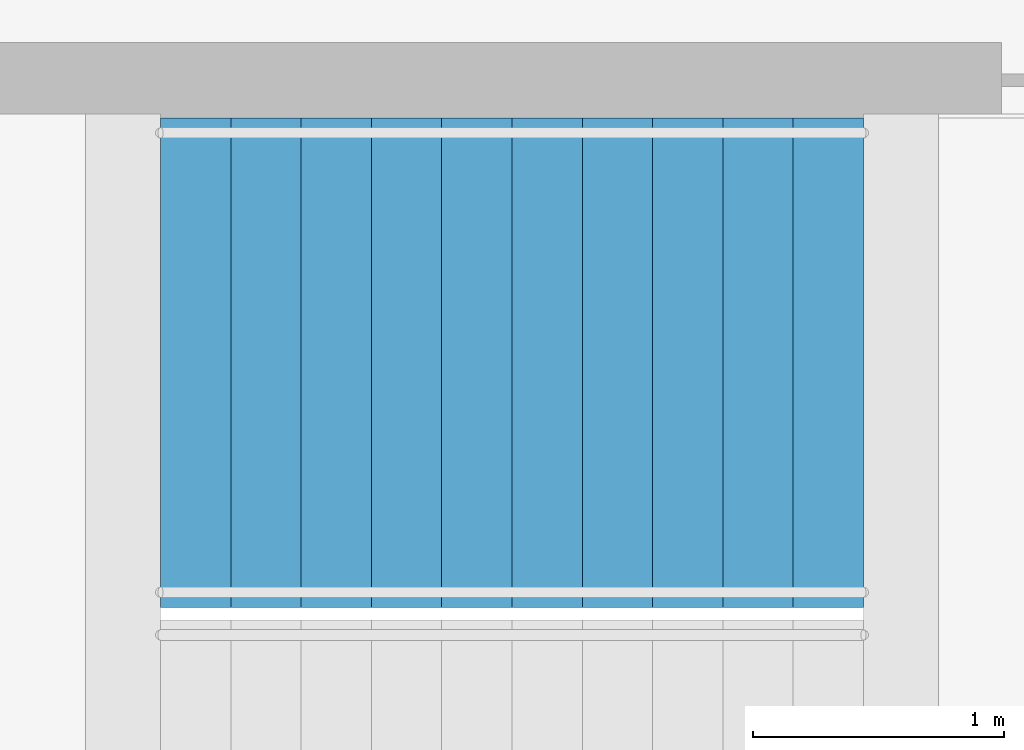
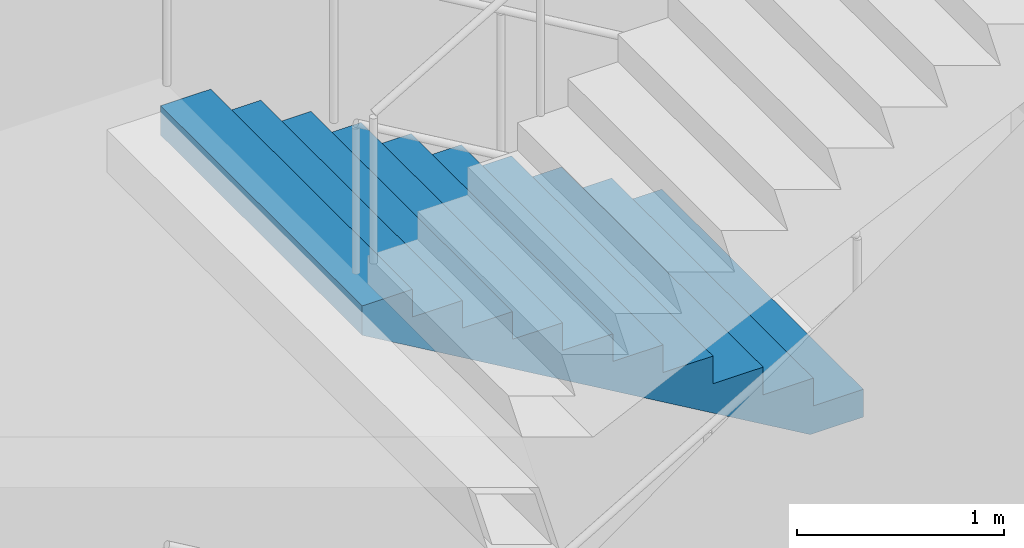
# One storey, part 23 of 24: 1 stair flight, 1 element without a shape of its own.
"""IFC4 building model written with IfcOpenShell, lengths in metres."""

from ifc_helpers import new_model, si_unit, direction, frame, origin, place, context, subcontext, project, spatial, triangles, material, type_object, element, aggregate, save


model = new_model("IFC4")

# Units and contexts
model_context = context("Model", 3, precision=1e-05, world=origin(), true_north=direction((0.0, 1.0)))
body_context = subcontext(model_context, "Body", "Model", "MODEL_VIEW")
ifc_project = project(units=[si_unit("LENGTHUNIT", "METRE"), si_unit("AREAUNIT", "SQUARE_METRE"), si_unit("VOLUMEUNIT", "CUBIC_METRE"), si_unit("PLANEANGLEUNIT", "RADIAN"), si_unit("MASSUNIT", "GRAM", prefix="KILO")], contexts=[model_context])

# Site, building, storey
site_placement = place(None, origin())
site = spatial("IfcSite", under=ifc_project, at=site_placement, CompositionType="ELEMENT")
building_placement = place(site_placement, origin())
building = spatial("IfcBuilding", under=site, at=building_placement, Name="Orbita Commons", CompositionType="ELEMENT")
storey_placement = place(building_placement, frame((0.0, 0.0, 68.949951171875)))
storey = spatial("IfcBuildingStorey", under=building, at=storey_placement, Name="L17", CompositionType="ELEMENT", Elevation=68.949951171875)

# Stair, stair flight
ifc_material_1 = material(Name="Precast concrete C40/50", Category="concrete")
stair_type = type_object("IfcStairType", Name="Exit stair S2 4 flights 11 risers 164", PredefinedType="HALF_TURN_STAIR", material=ifc_material_1)
stair_placement = place(storey_placement, origin())
stair = element("IfcStair", 1, at=stair_placement, inside=storey, type_object=stair_type, Name="Exit stair S2 L17", PredefinedType="HALF_TURN_STAIR")
ifc_material_2 = material(Name="Precast concrete C40/50", Category="concrete")
stair_flight_type = type_object("IfcStairFlightType", Name="Stair flight 11 risers 164 x 280", PredefinedType="STRAIGHT", material=ifc_material_2)
stair_flight_placement = place(storey_placement, frame((63.550048828125, 29.27490234375, 3.60009765625), z_axis=(0.0, 0.0, 1.0), x_axis=(-1.0, 0.0, 0.0)))
stair_flight = element("IfcStairFlight", 2, at=stair_flight_placement, type_object=stair_flight_type, Name="S2 flight 3", NumberOfRisers=11, NumberOfTreads=10, PredefinedType="STRAIGHT", RiserHeight=0.163636364, TreadLength=0.28, context=body_context, shape_type="Tessellation", body=[
    triangles([(0.0, 0.974976, 0.0), (0.0, 0.974976, 0.020455), (0.0, 0.81248, 0.020455), (0.0, 0.81248, 0.0), (0.0, 0.649984, 0.020455), (0.0, 0.649984, 0.0), (0.0, 0.487488, 0.020455), (0.0, 0.487488, 0.0), (0.0, 0.324992, 0.020455), (0.0, 0.324992, 0.0), (0.0, 0.162496, 0.020455), (0.0, 0.162496, 0.0), (0.0, 0.0, 0.020455), (0.0, 0.0, 0.0), (0.0, -0.162496, 0.020455), (0.0, -0.162496, 0.0), (0.0, -0.324992, 0.020455), (0.0, -0.324992, 0.0), (0.0, -0.487488, 0.020455), (0.0, -0.487488, 0.0), (0.0, -0.649984, 0.020455), (0.0, -0.649984, 0.0), (0.0, -0.81248, 0.020455), (0.0, -0.81248, 0.0), (0.0, -0.974976, 0.020455), (0.0, -0.974976, 0.0), (0.0, 0.974976, 0.040909), (0.0, 0.81248, 0.040909), (0.0, 0.649984, 0.040909), (0.0, 0.487488, 0.040909), (0.0, 0.324992, 0.040909), (0.0, 0.162496, 0.040909), (0.0, 0.0, 0.040909), (0.0, -0.162496, 0.040909), (0.0, -0.324992, 0.040909), (0.0, -0.487488, 0.040909), (0.0, -0.649984, 0.040909), (0.0, -0.81248, 0.040909), (0.0, -0.974976, 0.040909), (0.0, 0.974976, 0.061364), (0.0, 0.81248, 0.061364), (0.0, 0.649984, 0.061364), (0.0, 0.487488, 0.061364), (0.0, 0.324992, 0.061364), (0.0, 0.162496, 0.061364), (0.0, 0.0, 0.061364), (0.0, -0.162496, 0.061364), (0.0, -0.324992, 0.061364), (0.0, -0.487488, 0.061364), (0.0, -0.649984, 0.061364), (0.0, -0.81248, 0.061364), (0.0, -0.974976, 0.061364), (0.0, 0.974976, 0.081818), (0.0, 0.81248, 0.081818), (0.0, 0.649984, 0.081818), (0.0, 0.487488, 0.081818), (0.0, 0.324992, 0.081818), (0.0, 0.162496, 0.081818), (0.0, 0.0, 0.081818), (0.0, -0.162496, 0.081818), (0.0, -0.324992, 0.081818), (0.0, -0.487488, 0.081818), (0.0, -0.649984, 0.081818), (0.0, -0.81248, 0.081818), (0.0, -0.974976, 0.081818), (0.0, 0.974976, 0.102273), (0.0, 0.81248, 0.102273), (0.0, 0.649984, 0.102273), (0.0, 0.487488, 0.102273), (0.0, 0.324992, 0.102273), (0.0, 0.162496, 0.102273), (0.0, 0.0, 0.102273), (0.0, -0.162496, 0.102273), (0.0, -0.324992, 0.102273), (0.0, -0.487488, 0.102273), (0.0, -0.649984, 0.102273), (0.0, -0.81248, 0.102273), (0.0, -0.974976, 0.102273), (0.0, 0.974976, 0.122727), (0.0, 0.81248, 0.122727), (0.0, 0.649984, 0.122727), (0.0, 0.487488, 0.122727), (0.0, 0.324992, 0.122727), (0.0, 0.162496, 0.122727), (0.0, 0.0, 0.122727), (0.0, -0.162496, 0.122727), (0.0, -0.324992, 0.122727), (0.0, -0.487488, 0.122727), (0.0, -0.649984, 0.122727), (0.0, -0.81248, 0.122727), (0.0, -0.974976, 0.122727), (0.0, 0.974976, 0.143182), (0.0, 0.81248, 0.143182), (0.0, 0.649984, 0.143182), (0.0, 0.487488, 0.143182), (0.0, 0.324992, 0.143182), (0.0, 0.162496, 0.143182), (0.0, 0.0, 0.143182), (0.0, -0.162496, 0.143182), (0.0, -0.324992, 0.143182), (0.0, -0.487488, 0.143182), (0.0, -0.649984, 0.143182), (0.0, -0.81248, 0.143182), (0.0, -0.974976, 0.143182), (0.0, 0.974976, 0.163636), (0.0, 0.81248, 0.163636), (0.0, 0.649984, 0.163636), (0.0, 0.487488, 0.163636), (0.0, 0.324992, 0.163636), (0.0, 0.162496, 0.163636), (0.0, 0.0, 0.163636), (0.0, -0.162496, 0.163636), (0.0, -0.324992, 0.163636), (0.0, -0.487488, 0.163636), (0.0, -0.649984, 0.163636), (0.0, -0.81248, 0.163636), (0.0, -0.974976, 0.163636), (0.28, 0.974976, 0.163636), (0.28, 0.81248, 0.163636), (0.28, 0.649984, 0.163636), (0.28, 0.487488, 0.163636), (0.28, 0.324992, 0.163636), (0.28, 0.162496, 0.163636), (0.28, 0.0, 0.163636), (0.28, -0.162496, 0.163636), (0.28, -0.324992, 0.163636), (0.28, -0.487488, 0.163636), (0.28, -0.649984, 0.163636), (0.28, -0.81248, 0.163636), (0.28, -0.974976, 0.163636), (0.28, 0.974976, 0.327273), (0.28, 0.81248, 0.327273), (0.28, 0.649984, 0.327273), (0.28, 0.487488, 0.327273), (0.28, 0.324992, 0.327273), (0.28, 0.162496, 0.327273), (0.28, 0.0, 0.327273), (0.28, -0.162496, 0.327273), (0.28, -0.324992, 0.327273), (0.28, -0.487488, 0.327273), (0.28, -0.649984, 0.327273), (0.28, -0.81248, 0.327273), (0.28, -0.974976, 0.327273), (0.56, 0.974976, 0.327273), (0.56, 0.81248, 0.327273), (0.56, 0.649984, 0.327273), (0.56, 0.487488, 0.327273), (0.56, 0.324992, 0.327273), (0.56, 0.162496, 0.327273), (0.56, 0.0, 0.327273), (0.56, -0.162496, 0.327273), (0.56, -0.324992, 0.327273), (0.56, -0.487488, 0.327273), (0.56, -0.649984, 0.327273), (0.56, -0.81248, 0.327273), (0.56, -0.974976, 0.327273), (0.56, 0.974976, 0.490909), (0.56, 0.81248, 0.490909), (0.56, 0.649984, 0.490909), (0.56, 0.487488, 0.490909), (0.56, 0.324992, 0.490909), (0.56, 0.162496, 0.490909), (0.56, 0.0, 0.490909), (0.56, -0.162496, 0.490909), (0.56, -0.324992, 0.490909), (0.56, -0.487488, 0.490909), (0.56, -0.649984, 0.490909), (0.56, -0.81248, 0.490909), (0.56, -0.974976, 0.490909), (0.84, 0.974976, 0.490909), (0.84, 0.81248, 0.490909), (0.84, 0.649984, 0.490909), (0.84, 0.487488, 0.490909), (0.84, 0.324992, 0.490909), (0.84, 0.162496, 0.490909), (0.84, 0.0, 0.490909), (0.84, -0.162496, 0.490909), (0.84, -0.324992, 0.490909), (0.84, -0.487488, 0.490909), (0.84, -0.649984, 0.490909), (0.84, -0.81248, 0.490909), (0.84, -0.974976, 0.490909), (0.84, 0.974976, 0.654545), (0.84, 0.81248, 0.654545), (0.84, 0.649984, 0.654545), (0.84, 0.487488, 0.654545), (0.84, 0.324992, 0.654545), (0.84, 0.162496, 0.654545), (0.84, 0.0, 0.654545), (0.84, -0.162496, 0.654545), (0.84, -0.324992, 0.654545), (0.84, -0.487488, 0.654545), (0.84, -0.649984, 0.654545), (0.84, -0.81248, 0.654545), (0.84, -0.974976, 0.654545), (1.12, 0.974976, 0.654545), (1.12, 0.81248, 0.654545), (1.12, 0.649984, 0.654545), (1.12, 0.487488, 0.654545), (1.12, 0.324992, 0.654545), (1.12, 0.162496, 0.654545), (1.12, 0.0, 0.654545), (1.12, -0.162496, 0.654545), (1.12, -0.324992, 0.654545), (1.12, -0.487488, 0.654545), (1.12, -0.649984, 0.654545), (1.12, -0.81248, 0.654545), (1.12, -0.974976, 0.654545), (1.12, 0.974976, 0.818182), (1.12, 0.81248, 0.818182), (1.12, 0.649984, 0.818182), (1.12, 0.487488, 0.818182), (1.12, 0.324992, 0.818182), (1.12, 0.162496, 0.818182), (1.12, 0.0, 0.818182), (1.12, -0.162496, 0.818182), (1.12, -0.324992, 0.818182), (1.12, -0.487488, 0.818182), (1.12, -0.649984, 0.818182), (1.12, -0.81248, 0.818182), (1.12, -0.974976, 0.818182), (1.4, 0.974976, 0.818182), (1.4, 0.81248, 0.818182), (1.4, 0.649984, 0.818182), (1.4, 0.487488, 0.818182), (1.4, 0.324992, 0.818182), (1.4, 0.162496, 0.818182), (1.4, 0.0, 0.818182), (1.4, -0.162496, 0.818182), (1.4, -0.324992, 0.818182), (1.4, -0.487488, 0.818182), (1.4, -0.649984, 0.818182), (1.4, -0.81248, 0.818182), (1.4, -0.974976, 0.818182), (1.4, 0.974976, 0.981818), (1.4, 0.81248, 0.981818), (1.4, 0.649984, 0.981818), (1.4, 0.487488, 0.981818), (1.4, 0.324992, 0.981818), (1.4, 0.162496, 0.981818), (1.4, 0.0, 0.981818), (1.4, -0.162496, 0.981818), (1.4, -0.324992, 0.981818), (1.4, -0.487488, 0.981818), (1.4, -0.649984, 0.981818), (1.4, -0.81248, 0.981818), (1.4, -0.974976, 0.981818), (1.68, 0.974976, 0.981818), (1.68, 0.81248, 0.981818), (1.68, 0.649984, 0.981818), (1.68, 0.487488, 0.981818), (1.68, 0.324992, 0.981818), (1.68, 0.162496, 0.981818), (1.68, 0.0, 0.981818), (1.68, -0.162496, 0.981818), (1.68, -0.324992, 0.981818), (1.68, -0.487488, 0.981818), (1.68, -0.649984, 0.981818), (1.68, -0.81248, 0.981818), (1.68, -0.974976, 0.981818), (1.68, 0.974976, 1.145455), (1.68, 0.81248, 1.145455), (1.68, 0.649984, 1.145455), (1.68, 0.487488, 1.145455), (1.68, 0.324992, 1.145455), (1.68, 0.162496, 1.145455), (1.68, 0.0, 1.145455), (1.68, -0.162496, 1.145455), (1.68, -0.324992, 1.145455), (1.68, -0.487488, 1.145455), (1.68, -0.649984, 1.145455), (1.68, -0.81248, 1.145455), (1.68, -0.974976, 1.145455), (1.96, 0.974976, 1.145455), (1.96, 0.81248, 1.145455), (1.96, 0.649984, 1.145455), (1.96, 0.487488, 1.145455), (1.96, 0.324992, 1.145455), (1.96, 0.162496, 1.145455), (1.96, 0.0, 1.145455), (1.96, -0.162496, 1.145455), (1.96, -0.324992, 1.145455), (1.96, -0.487488, 1.145455), (1.96, -0.649984, 1.145455), (1.96, -0.81248, 1.145455), (1.96, -0.974976, 1.145455), (1.96, 0.974976, 1.309091), (1.96, 0.81248, 1.309091), (1.96, 0.649984, 1.309091), (1.96, 0.487488, 1.309091), (1.96, 0.324992, 1.309091), (1.96, 0.162496, 1.309091), (1.96, 0.0, 1.309091), (1.96, -0.162496, 1.309091), (1.96, -0.324992, 1.309091), (1.96, -0.487488, 1.309091), (1.96, -0.649984, 1.309091), (1.96, -0.81248, 1.309091), (1.96, -0.974976, 1.309091), (2.24, 0.974976, 1.309091), (2.24, 0.81248, 1.309091), (2.24, 0.649984, 1.309091), (2.24, 0.487488, 1.309091), (2.24, 0.324992, 1.309091), (2.24, 0.162496, 1.309091), (2.24, 0.0, 1.309091), (2.24, -0.162496, 1.309091), (2.24, -0.324992, 1.309091), (2.24, -0.487488, 1.309091), (2.24, -0.649984, 1.309091), (2.24, -0.81248, 1.309091), (2.24, -0.974976, 1.309091), (2.24, 0.974976, 1.472727), (2.24, 0.81248, 1.472727), (2.24, 0.649984, 1.472727), (2.24, 0.487488, 1.472727), (2.24, 0.324992, 1.472727), (2.24, 0.162496, 1.472727), (2.24, 0.0, 1.472727), (2.24, -0.162496, 1.472727), (2.24, -0.324992, 1.472727), (2.24, -0.487488, 1.472727), (2.24, -0.649984, 1.472727), (2.24, -0.81248, 1.472727), (2.24, -0.974976, 1.472727), (2.52, 0.974976, 1.472727), (2.52, 0.81248, 1.472727), (2.52, 0.649984, 1.472727), (2.52, 0.487488, 1.472727), (2.52, 0.324992, 1.472727), (2.52, 0.162496, 1.472727), (2.52, 0.0, 1.472727), (2.52, -0.162496, 1.472727), (2.52, -0.324992, 1.472727), (2.52, -0.487488, 1.472727), (2.52, -0.649984, 1.472727), (2.52, -0.81248, 1.472727), (2.52, -0.974976, 1.472727), (2.52, 0.974976, 1.636364), (2.52, 0.81248, 1.636364), (2.52, 0.649984, 1.636364), (2.52, 0.487488, 1.636364), (2.52, 0.324992, 1.636364), (2.52, 0.162496, 1.636364), (2.52, 0.0, 1.636364), (2.52, -0.162496, 1.636364), (2.52, -0.324992, 1.636364), (2.52, -0.487488, 1.636364), (2.52, -0.649984, 1.636364), (2.52, -0.81248, 1.636364), (2.52, -0.974976, 1.636364), (2.8, 0.974976, 1.636364), (2.8, 0.81248, 1.636364), (2.8, 0.649984, 1.636364), (2.8, 0.487488, 1.636364), (2.8, 0.324992, 1.636364), (2.8, 0.162496, 1.636364), (2.8, 0.0, 1.636364), (2.8, -0.162496, 1.636364), (2.8, -0.324992, 1.636364), (2.8, -0.487488, 1.636364), (2.8, -0.649984, 1.636364), (2.8, -0.81248, 1.636364), (2.8, -0.974976, 1.636364), (2.8, 0.974976, 1.614661), (2.8, 0.81248, 1.614661), (2.8, 0.649984, 1.614661), (2.8, 0.487488, 1.614661), (2.8, 0.324992, 1.614661), (2.8, 0.162496, 1.614661), (2.8, 0.0, 1.614661), (2.8, -0.162496, 1.614661), (2.8, -0.324992, 1.614661), (2.8, -0.487488, 1.614661), (2.8, -0.649984, 1.614661), (2.8, -0.81248, 1.614661), (2.8, -0.974976, 1.614661), (2.8, 0.974976, 1.592958), (2.8, 0.81248, 1.592958), (2.8, 0.649984, 1.592958), (2.8, 0.487488, 1.592958), (2.8, 0.324992, 1.592958), (2.8, 0.162496, 1.592958), (2.8, 0.0, 1.592958), (2.8, -0.162496, 1.592958), (2.8, -0.324992, 1.592958), (2.8, -0.487488, 1.592958), (2.8, -0.649984, 1.592958), (2.8, -0.81248, 1.592958), (2.8, -0.974976, 1.592958), (2.8, 0.974976, 1.571255), (2.8, 0.81248, 1.571255), (2.8, 0.649984, 1.571255), (2.8, 0.487488, 1.571255), (2.8, 0.324992, 1.571255), (2.8, 0.162496, 1.571255), (2.8, 0.0, 1.571255), (2.8, -0.162496, 1.571255), (2.8, -0.324992, 1.571255), (2.8, -0.487488, 1.571255), (2.8, -0.649984, 1.571255), (2.8, -0.81248, 1.571255), (2.8, -0.974976, 1.571255), (2.8, 0.974976, 1.549551), (2.8, 0.81248, 1.549551), (2.8, 0.649984, 1.549551), (2.8, 0.487488, 1.549551), (2.8, 0.324992, 1.549551), (2.8, 0.162496, 1.549551), (2.8, 0.0, 1.549551), (2.8, -0.162496, 1.549551), (2.8, -0.324992, 1.549551), (2.8, -0.487488, 1.549551), (2.8, -0.649984, 1.549551), (2.8, -0.81248, 1.549551), (2.8, -0.974976, 1.549551), (2.8, 0.974976, 1.527848), (2.8, 0.81248, 1.527848), (2.8, 0.649984, 1.527848), (2.8, 0.487488, 1.527848), (2.8, 0.324992, 1.527848), (2.8, 0.162496, 1.527848), (2.8, 0.0, 1.527848), (2.8, -0.162496, 1.527848), (2.8, -0.324992, 1.527848), (2.8, -0.487488, 1.527848), (2.8, -0.649984, 1.527848), (2.8, -0.81248, 1.527848), (2.8, -0.974976, 1.527848), (2.8, 0.974976, 1.506145), (2.8, 0.81248, 1.506145), (2.8, 0.649984, 1.506145), (2.8, 0.487488, 1.506145), (2.8, 0.324992, 1.506145), (2.8, 0.162496, 1.506145), (2.8, 0.0, 1.506145), (2.8, -0.162496, 1.506145), (2.8, -0.324992, 1.506145), (2.8, -0.487488, 1.506145), (2.8, -0.649984, 1.506145), (2.8, -0.81248, 1.506145), (2.8, -0.974976, 1.506145), (2.8, 0.974976, 1.484442), (2.8, 0.81248, 1.484442), (2.8, 0.649984, 1.484442), (2.8, 0.487488, 1.484442), (2.8, 0.324992, 1.484442), (2.8, 0.162496, 1.484442), (2.8, 0.0, 1.484442), (2.8, -0.162496, 1.484442), (2.8, -0.324992, 1.484442), (2.8, -0.487488, 1.484442), (2.8, -0.649984, 1.484442), (2.8, -0.81248, 1.484442), (2.8, -0.974976, 1.484442), (2.8, 0.974976, 1.462739), (2.8, 0.81248, 1.462739), (2.8, 0.649984, 1.462739), (2.8, 0.487488, 1.462739), (2.8, 0.324992, 1.462739), (2.8, 0.162496, 1.462739), (2.8, 0.0, 1.462739), (2.8, -0.162496, 1.462739), (2.8, -0.324992, 1.462739), (2.8, -0.487488, 1.462739), (2.8, -0.649984, 1.462739), (2.8, -0.81248, 1.462739), (2.8, -0.974976, 1.462739), (0.29709, 0.974976, 0.0), (0.29709, 0.81248, 0.0), (0.29709, 0.649984, 0.0), (0.29709, 0.487488, 0.0), (0.29709, 0.324992, 0.0), (0.29709, 0.162496, 0.0), (0.29709, 0.0, 0.0), (0.29709, -0.162496, 0.0), (0.29709, -0.324992, 0.0), (0.29709, -0.487488, 0.0), (0.29709, -0.649984, 0.0), (0.29709, -0.81248, 0.0), (0.29709, -0.974976, 0.0)], [[3, 2, 1], [4, 3, 1], [5, 3, 4], [6, 5, 4], [7, 5, 6], [8, 7, 6], [9, 7, 8], [10, 9, 8], [11, 9, 10], [12, 11, 10], [13, 11, 12], [14, 13, 12], [15, 13, 14], [16, 15, 14], [17, 15, 16], [18, 17, 16], [19, 17, 18], [20, 19, 18], [21, 19, 20], [22, 21, 20], [23, 21, 22], [24, 23, 22], [25, 23, 24], [26, 25, 24], [28, 27, 2], [3, 28, 2], [29, 28, 3], [5, 29, 3], [30, 29, 5], [7, 30, 5], [31, 30, 7], [9, 31, 7], [32, 31, 9], [11, 32, 9], [33, 32, 11], [13, 33, 11], [34, 33, 13], [15, 34, 13], [35, 34, 15], [17, 35, 15], [36, 35, 17], [19, 36, 17], [37, 36, 19], [21, 37, 19], [38, 37, 21], [23, 38, 21], [39, 38, 23], [25, 39, 23], [41, 40, 27], [28, 41, 27], [42, 41, 28], [29, 42, 28], [43, 42, 29], [30, 43, 29], [44, 43, 30], [31, 44, 30], [45, 44, 31], [32, 45, 31], [46, 45, 32], [33, 46, 32], [47, 46, 33], [34, 47, 33], [48, 47, 34], [35, 48, 34], [49, 48, 35], [36, 49, 35], [50, 49, 36], [37, 50, 36], [51, 50, 37], [38, 51, 37], [52, 51, 38], [39, 52, 38], [54, 53, 40], [41, 54, 40], [55, 54, 41], [42, 55, 41], [56, 55, 42], [43, 56, 42], [57, 56, 43], [44, 57, 43], [58, 57, 44], [45, 58, 44], [59, 58, 45], [46, 59, 45], [60, 59, 46], [47, 60, 46], [61, 60, 47], [48, 61, 47], [62, 61, 48], [49, 62, 48], [63, 62, 49], [50, 63, 49], [64, 63, 50], [51, 64, 50], [65, 64, 51], [52, 65, 51], [67, 66, 53], [54, 67, 53], [68, 67, 54], [55, 68, 54], [69, 68, 55], [56, 69, 55], [70, 69, 56], [57, 70, 56], [71, 70, 57], [58, 71, 57], [72, 71, 58], [59, 72, 58], [73, 72, 59], [60, 73, 59], [74, 73, 60], [61, 74, 60], [75, 74, 61], [62, 75, 61], [76, 75, 62], [63, 76, 62], [77, 76, 63], [64, 77, 63], [78, 77, 64], [65, 78, 64], [80, 79, 66], [67, 80, 66], [81, 80, 67], [68, 81, 67], [82, 81, 68], [69, 82, 68], [83, 82, 69], [70, 83, 69], [84, 83, 70], [71, 84, 70], [85, 84, 71], [72, 85, 71], [86, 85, 72], [73, 86, 72], [87, 86, 73], [74, 87, 73], [88, 87, 74], [75, 88, 74], [89, 88, 75], [76, 89, 75], [90, 89, 76], [77, 90, 76], [91, 90, 77], [78, 91, 77], [93, 92, 79], [80, 93, 79], [94, 93, 80], [81, 94, 80], [95, 94, 81], [82, 95, 81], [96, 95, 82], [83, 96, 82], [97, 96, 83], [84, 97, 83], [98, 97, 84], [85, 98, 84], [99, 98, 85], [86, 99, 85], [100, 99, 86], [87, 100, 86], [101, 100, 87], [88, 101, 87], [102, 101, 88], [89, 102, 88], [103, 102, 89], [90, 103, 89], [104, 103, 90], [91, 104, 90], [106, 105, 92], [93, 106, 92], [107, 106, 93], [94, 107, 93], [108, 107, 94], [95, 108, 94], [109, 108, 95], [96, 109, 95], [110, 109, 96], [97, 110, 96], [111, 110, 97], [98, 111, 97], [112, 111, 98], [99, 112, 98], [113, 112, 99], [100, 113, 99], [114, 113, 100], [101, 114, 100], [115, 114, 101], [102, 115, 101], [116, 115, 102], [103, 116, 102], [117, 116, 103], [104, 117, 103], [119, 118, 105], [106, 119, 105], [120, 119, 106], [107, 120, 106], [121, 120, 107], [108, 121, 107], [122, 121, 108], [109, 122, 108], [123, 122, 109], [110, 123, 109], [124, 123, 110], [111, 124, 110], [125, 124, 111], [112, 125, 111], [126, 125, 112], [113, 126, 112], [127, 126, 113], [114, 127, 113], [128, 127, 114], [115, 128, 114], [129, 128, 115], [116, 129, 115], [130, 129, 116], [117, 130, 116], [132, 131, 118], [119, 132, 118], [133, 132, 119], [120, 133, 119], [134, 133, 120], [121, 134, 120], [135, 134, 121], [122, 135, 121], [136, 135, 122], [123, 136, 122], [137, 136, 123], [124, 137, 123], [138, 137, 124], [125, 138, 124], [139, 138, 125], [126, 139, 125], [140, 139, 126], [127, 140, 126], [141, 140, 127], [128, 141, 127], [142, 141, 128], [129, 142, 128], [143, 142, 129], [130, 143, 129], [145, 144, 131], [132, 145, 131], [146, 145, 132], [133, 146, 132], [147, 146, 133], [134, 147, 133], [148, 147, 134], [135, 148, 134], [149, 148, 135], [136, 149, 135], [150, 149, 136], [137, 150, 136], [151, 150, 137], [138, 151, 137], [152, 151, 138], [139, 152, 138], [153, 152, 139], [140, 153, 139], [154, 153, 140], [141, 154, 140], [155, 154, 141], [142, 155, 141], [156, 155, 142], [143, 156, 142], [158, 157, 144], [145, 158, 144], [159, 158, 145], [146, 159, 145], [160, 159, 146], [147, 160, 146], [161, 160, 147], [148, 161, 147], [162, 161, 148], [149, 162, 148], [163, 162, 149], [150, 163, 149], [164, 163, 150], [151, 164, 150], [165, 164, 151], [152, 165, 151], [166, 165, 152], [153, 166, 152], [167, 166, 153], [154, 167, 153], [168, 167, 154], [155, 168, 154], [169, 168, 155], [156, 169, 155], [171, 170, 157], [158, 171, 157], [172, 171, 158], [159, 172, 158], [173, 172, 159], [160, 173, 159], [174, 173, 160], [161, 174, 160], [175, 174, 161], [162, 175, 161], [176, 175, 162], [163, 176, 162], [177, 176, 163], [164, 177, 163], [178, 177, 164], [165, 178, 164], [179, 178, 165], [166, 179, 165], [180, 179, 166], [167, 180, 166], [181, 180, 167], [168, 181, 167], [182, 181, 168], [169, 182, 168], [184, 183, 170], [171, 184, 170], [185, 184, 171], [172, 185, 171], [186, 185, 172], [173, 186, 172], [187, 186, 173], [174, 187, 173], [188, 187, 174], [175, 188, 174], [189, 188, 175], [176, 189, 175], [190, 189, 176], [177, 190, 176], [191, 190, 177], [178, 191, 177], [192, 191, 178], [179, 192, 178], [193, 192, 179], [180, 193, 179], [194, 193, 180], [181, 194, 180], [195, 194, 181], [182, 195, 181], [197, 196, 183], [184, 197, 183], [198, 197, 184], [185, 198, 184], [199, 198, 185], [186, 199, 185], [200, 199, 186], [187, 200, 186], [201, 200, 187], [188, 201, 187], [202, 201, 188], [189, 202, 188], [203, 202, 189], [190, 203, 189], [204, 203, 190], [191, 204, 190], [205, 204, 191], [192, 205, 191], [206, 205, 192], [193, 206, 192], [207, 206, 193], [194, 207, 193], [208, 207, 194], [195, 208, 194], [210, 209, 196], [197, 210, 196], [211, 210, 197], [198, 211, 197], [212, 211, 198], [199, 212, 198], [213, 212, 199], [200, 213, 199], [214, 213, 200], [201, 214, 200], [215, 214, 201], [202, 215, 201], [216, 215, 202], [203, 216, 202], [217, 216, 203], [204, 217, 203], [218, 217, 204], [205, 218, 204], [219, 218, 205], [206, 219, 205], [220, 219, 206], [207, 220, 206], [221, 220, 207], [208, 221, 207], [223, 222, 209], [210, 223, 209], [224, 223, 210], [211, 224, 210], [225, 224, 211], [212, 225, 211], [226, 225, 212], [213, 226, 212], [227, 226, 213], [214, 227, 213], [228, 227, 214], [215, 228, 214], [229, 228, 215], [216, 229, 215], [230, 229, 216], [217, 230, 216], [231, 230, 217], [218, 231, 217], [232, 231, 218], [219, 232, 218], [233, 232, 219], [220, 233, 219], [234, 233, 220], [221, 234, 220], [236, 235, 222], [223, 236, 222], [237, 236, 223], [224, 237, 223], [238, 237, 224], [225, 238, 224], [239, 238, 225], [226, 239, 225], [240, 239, 226], [227, 240, 226], [241, 240, 227], [228, 241, 227], [242, 241, 228], [229, 242, 228], [243, 242, 229], [230, 243, 229], [244, 243, 230], [231, 244, 230], [245, 244, 231], [232, 245, 231], [246, 245, 232], [233, 246, 232], [247, 246, 233], [234, 247, 233], [249, 248, 235], [236, 249, 235], [250, 249, 236], [237, 250, 236], [251, 250, 237], [238, 251, 237], [252, 251, 238], [239, 252, 238], [253, 252, 239], [240, 253, 239], [254, 253, 240], [241, 254, 240], [255, 254, 241], [242, 255, 241], [256, 255, 242], [243, 256, 242], [257, 256, 243], [244, 257, 243], [258, 257, 244], [245, 258, 244], [259, 258, 245], [246, 259, 245], [260, 259, 246], [247, 260, 246], [262, 261, 248], [249, 262, 248], [263, 262, 249], [250, 263, 249], [264, 263, 250], [251, 264, 250], [265, 264, 251], [252, 265, 251], [266, 265, 252], [253, 266, 252], [267, 266, 253], [254, 267, 253], [268, 267, 254], [255, 268, 254], [269, 268, 255], [256, 269, 255], [270, 269, 256], [257, 270, 256], [271, 270, 257], [258, 271, 257], [272, 271, 258], [259, 272, 258], [273, 272, 259], [260, 273, 259], [275, 274, 261], [262, 275, 261], [276, 275, 262], [263, 276, 262], [277, 276, 263], [264, 277, 263], [278, 277, 264], [265, 278, 264], [279, 278, 265], [266, 279, 265], [280, 279, 266], [267, 280, 266], [281, 280, 267], [268, 281, 267], [282, 281, 268], [269, 282, 268], [283, 282, 269], [270, 283, 269], [284, 283, 270], [271, 284, 270], [285, 284, 271], [272, 285, 271], [286, 285, 272], [273, 286, 272], [288, 287, 274], [275, 288, 274], [289, 288, 275], [276, 289, 275], [290, 289, 276], [277, 290, 276], [291, 290, 277], [278, 291, 277], [292, 291, 278], [279, 292, 278], [293, 292, 279], [280, 293, 279], [294, 293, 280], [281, 294, 280], [295, 294, 281], [282, 295, 281], [296, 295, 282], [283, 296, 282], [297, 296, 283], [284, 297, 283], [298, 297, 284], [285, 298, 284], [299, 298, 285], [286, 299, 285], [301, 300, 287], [288, 301, 287], [302, 301, 288], [289, 302, 288], [303, 302, 289], [290, 303, 289], [304, 303, 290], [291, 304, 290], [305, 304, 291], [292, 305, 291], [306, 305, 292], [293, 306, 292], [307, 306, 293], [294, 307, 293], [308, 307, 294], [295, 308, 294], [309, 308, 295], [296, 309, 295], [310, 309, 296], [297, 310, 296], [311, 310, 297], [298, 311, 297], [312, 311, 298], [299, 312, 298], [314, 313, 300], [301, 314, 300], [315, 314, 301], [302, 315, 301], [316, 315, 302], [303, 316, 302], [317, 316, 303], [304, 317, 303], [318, 317, 304], [305, 318, 304], [319, 318, 305], [306, 319, 305], [320, 319, 306], [307, 320, 306], [321, 320, 307], [308, 321, 307], [322, 321, 308], [309, 322, 308], [323, 322, 309], [310, 323, 309], [324, 323, 310], [311, 324, 310], [325, 324, 311], [312, 325, 311], [327, 326, 313], [314, 327, 313], [328, 327, 314], [315, 328, 314], [329, 328, 315], [316, 329, 315], [330, 329, 316], [317, 330, 316], [331, 330, 317], [318, 331, 317], [332, 331, 318], [319, 332, 318], [333, 332, 319], [320, 333, 319], [334, 333, 320], [321, 334, 320], [335, 334, 321], [322, 335, 321], [336, 335, 322], [323, 336, 322], [337, 336, 323], [324, 337, 323], [338, 337, 324], [325, 338, 324], [340, 339, 326], [327, 340, 326], [341, 340, 327], [328, 341, 327], [342, 341, 328], [329, 342, 328], [343, 342, 329], [330, 343, 329], [344, 343, 330], [331, 344, 330], [345, 344, 331], [332, 345, 331], [346, 345, 332], [333, 346, 332], [347, 346, 333], [334, 347, 333], [348, 347, 334], [335, 348, 334], [349, 348, 335], [336, 349, 335], [350, 349, 336], [337, 350, 336], [351, 350, 337], [338, 351, 337], [353, 352, 339], [340, 353, 339], [354, 353, 340], [341, 354, 340], [355, 354, 341], [342, 355, 341], [356, 355, 342], [343, 356, 342], [357, 356, 343], [344, 357, 343], [358, 357, 344], [345, 358, 344], [359, 358, 345], [346, 359, 345], [360, 359, 346], [347, 360, 346], [361, 360, 347], [348, 361, 347], [362, 361, 348], [349, 362, 348], [363, 362, 349], [350, 363, 349], [364, 363, 350], [351, 364, 350], [366, 365, 352], [353, 366, 352], [367, 366, 353], [354, 367, 353], [368, 367, 354], [355, 368, 354], [369, 368, 355], [356, 369, 355], [370, 369, 356], [357, 370, 356], [371, 370, 357], [358, 371, 357], [372, 371, 358], [359, 372, 358], [373, 372, 359], [360, 373, 359], [374, 373, 360], [361, 374, 360], [375, 374, 361], [362, 375, 361], [376, 375, 362], [363, 376, 362], [377, 376, 363], [364, 377, 363], [379, 378, 365], [366, 379, 365], [380, 379, 366], [367, 380, 366], [381, 380, 367], [368, 381, 367], [382, 381, 368], [369, 382, 368], [383, 382, 369], [370, 383, 369], [384, 383, 370], [371, 384, 370], [385, 384, 371], [372, 385, 371], [386, 385, 372], [373, 386, 372], [387, 386, 373], [374, 387, 373], [388, 387, 374], [375, 388, 374], [389, 388, 375], [376, 389, 375], [390, 389, 376], [377, 390, 376], [392, 391, 378], [379, 392, 378], [393, 392, 379], [380, 393, 379], [394, 393, 380], [381, 394, 380], [395, 394, 381], [382, 395, 381], [396, 395, 382], [383, 396, 382], [397, 396, 383], [384, 397, 383], [398, 397, 384], [385, 398, 384], [399, 398, 385], [386, 399, 385], [400, 399, 386], [387, 400, 386], [401, 400, 387], [388, 401, 387], [402, 401, 388], [389, 402, 388], [403, 402, 389], [390, 403, 389], [405, 404, 391], [392, 405, 391], [406, 405, 392], [393, 406, 392], [407, 406, 393], [394, 407, 393], [408, 407, 394], [395, 408, 394], [409, 408, 395], [396, 409, 395], [410, 409, 396], [397, 410, 396], [411, 410, 397], [398, 411, 397], [412, 411, 398], [399, 412, 398], [413, 412, 399], [400, 413, 399], [414, 413, 400], [401, 414, 400], [415, 414, 401], [402, 415, 401], [416, 415, 402], [403, 416, 402], [418, 417, 404], [405, 418, 404], [419, 418, 405], [406, 419, 405], [420, 419, 406], [407, 420, 406], [421, 420, 407], [408, 421, 407], [422, 421, 408], [409, 422, 408], [423, 422, 409], [410, 423, 409], [424, 423, 410], [411, 424, 410], [425, 424, 411], [412, 425, 411], [426, 425, 412], [413, 426, 412], [427, 426, 413], [414, 427, 413], [428, 427, 414], [415, 428, 414], [429, 428, 415], [416, 429, 415], [431, 430, 417], [418, 431, 417], [432, 431, 418], [419, 432, 418], [433, 432, 419], [420, 433, 419], [434, 433, 420], [421, 434, 420], [435, 434, 421], [422, 435, 421], [436, 435, 422], [423, 436, 422], [437, 436, 423], [424, 437, 423], [438, 437, 424], [425, 438, 424], [439, 438, 425], [426, 439, 425], [440, 439, 426], [427, 440, 426], [441, 440, 427], [428, 441, 427], [442, 441, 428], [429, 442, 428], [444, 443, 430], [431, 444, 430], [445, 444, 431], [432, 445, 431], [446, 445, 432], [433, 446, 432], [447, 446, 433], [434, 447, 433], [448, 447, 434], [435, 448, 434], [449, 448, 435], [436, 449, 435], [450, 449, 436], [437, 450, 436], [451, 450, 437], [438, 451, 437], [452, 451, 438], [439, 452, 438], [453, 452, 439], [440, 453, 439], [454, 453, 440], [441, 454, 440], [455, 454, 441], [442, 455, 441], [457, 456, 443], [444, 457, 443], [458, 457, 444], [445, 458, 444], [459, 458, 445], [446, 459, 445], [460, 459, 446], [447, 460, 446], [461, 460, 447], [448, 461, 447], [462, 461, 448], [449, 462, 448], [463, 462, 449], [450, 463, 449], [464, 463, 450], [451, 464, 450], [465, 464, 451], [452, 465, 451], [466, 465, 452], [453, 466, 452], [467, 466, 453], [454, 467, 453], [468, 467, 454], [455, 468, 454], [470, 469, 456], [457, 470, 456], [471, 470, 457], [458, 471, 457], [472, 471, 458], [459, 472, 458], [473, 472, 459], [460, 473, 459], [474, 473, 460], [461, 474, 460], [475, 474, 461], [462, 475, 461], [476, 475, 462], [463, 476, 462], [477, 476, 463], [464, 477, 463], [478, 477, 464], [465, 478, 464], [479, 478, 465], [466, 479, 465], [480, 479, 466], [467, 480, 466], [481, 480, 467], [468, 481, 467], [4, 1, 469], [470, 4, 469], [6, 4, 470], [471, 6, 470], [8, 6, 471], [472, 8, 471], [10, 8, 472], [473, 10, 472], [12, 10, 473], [474, 12, 473], [14, 12, 474], [475, 14, 474], [16, 14, 475], [476, 16, 475], [18, 16, 476], [477, 18, 476], [20, 18, 477], [478, 20, 477], [22, 20, 478], [479, 22, 478], [24, 22, 479], [480, 24, 479], [26, 24, 480], [481, 26, 480], [456, 469, 1], [26, 481, 468], [443, 456, 1], [26, 468, 455], [430, 443, 1], [26, 455, 442], [417, 430, 1], [26, 442, 429], [404, 417, 1], [26, 429, 416], [391, 404, 1], [26, 416, 403], [378, 391, 1], [26, 403, 390], [365, 378, 1], [26, 390, 377], [339, 352, 365], [377, 364, 351], [326, 339, 365], [377, 351, 338], [300, 313, 326], [338, 325, 312], [300, 326, 365], [377, 338, 312], [274, 287, 300], [312, 299, 286], [274, 300, 365], [377, 312, 286], [248, 261, 274], [286, 273, 260], [248, 274, 365], [377, 286, 260], [222, 235, 248], [260, 247, 234], [222, 248, 365], [377, 260, 234], [196, 209, 222], [234, 221, 208], [196, 222, 365], [377, 234, 208], [170, 183, 196], [208, 195, 182], [170, 196, 365], [377, 208, 182], [144, 157, 170], [182, 169, 156], [144, 170, 365], [377, 182, 156], [118, 131, 144], [156, 143, 130], [118, 144, 365], [377, 156, 130], [118, 365, 1], [26, 377, 130], [92, 105, 118], [130, 117, 104], [79, 92, 118], [130, 104, 91], [66, 79, 118], [130, 91, 78], [53, 66, 118], [130, 78, 65], [40, 53, 118], [130, 65, 52], [27, 40, 118], [130, 52, 39], [2, 27, 118], [130, 39, 25], [1, 2, 118], [130, 25, 26]], closed=True),
])
aggregate(stair, [stair_flight])

save(model, "model.ifc")
